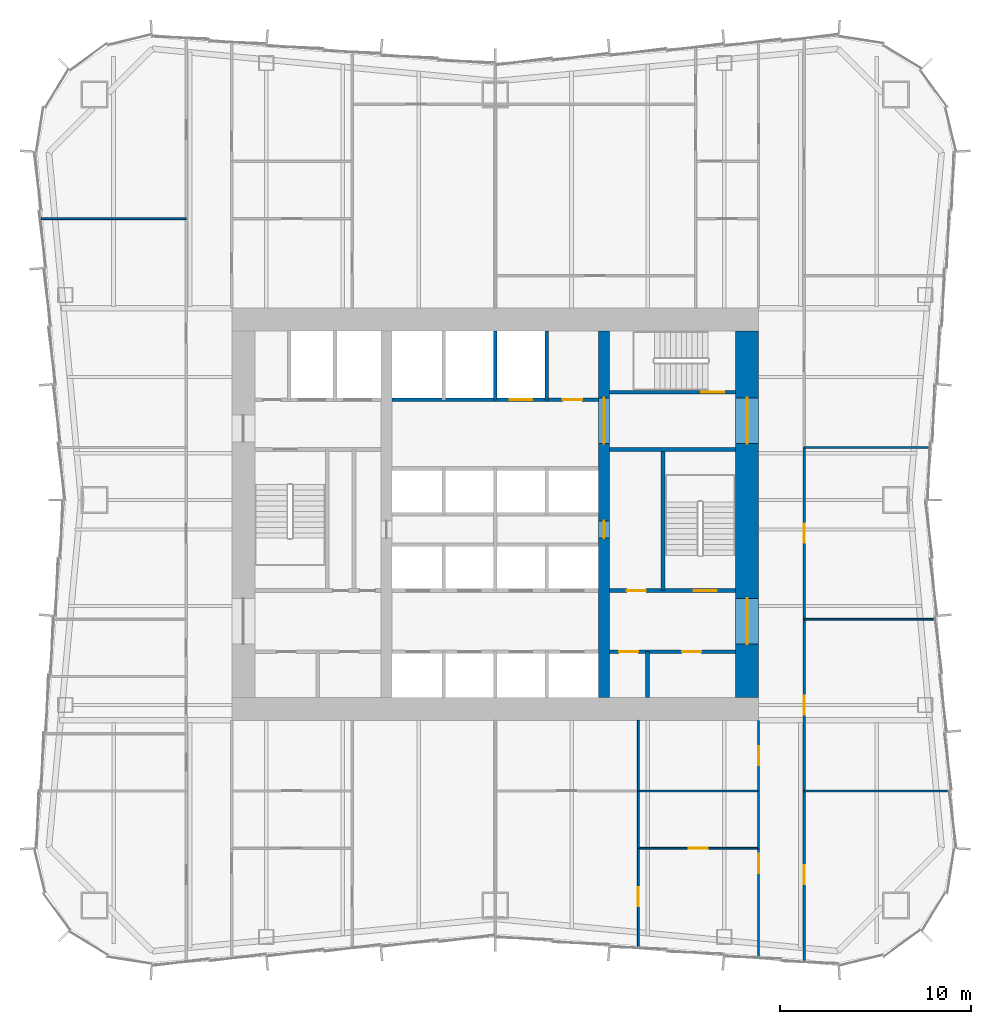
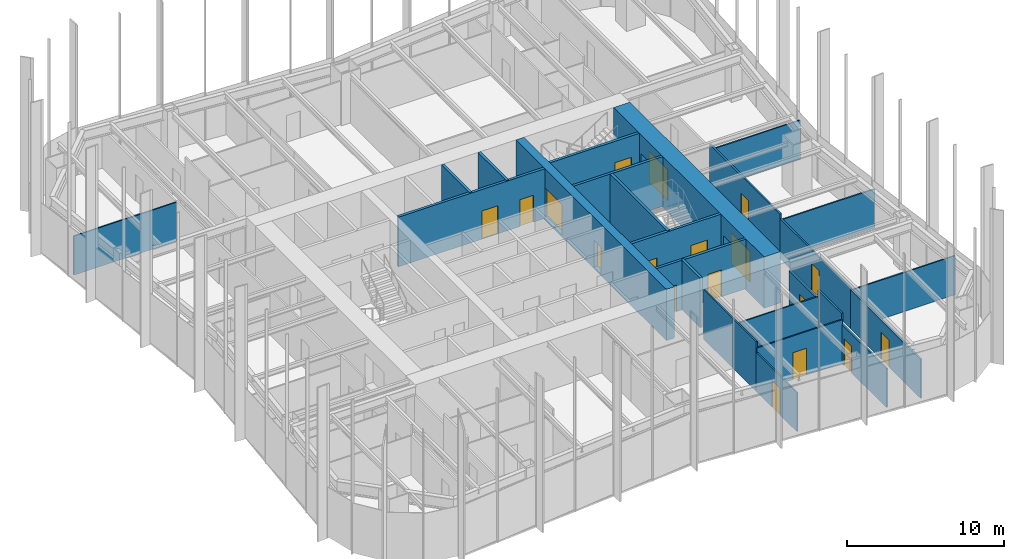
# One storey, part 10 of 13: 26 walls, 18 doors, 18 openings.
"""IFC4 building model written with IfcOpenShell, lengths in metres."""

from ifc_helpers import new_model, si_unit, direction, frame, frame_2d, origin, place, context, subcontext, project, spatial, rectangle, extrude, material, layer, layer_set, type_object, element, fill, save


model = new_model("IFC4")

# Units and contexts
model_context = context("Model", 3, precision=1e-05, world=origin(), true_north=direction((0.0, 1.0)))
body_context = subcontext(model_context, "Body", "Model", "MODEL_VIEW")
ifc_project = project(units=[si_unit("LENGTHUNIT", "METRE"), si_unit("AREAUNIT", "SQUARE_METRE"), si_unit("VOLUMEUNIT", "CUBIC_METRE"), si_unit("PLANEANGLEUNIT", "RADIAN"), si_unit("MASSUNIT", "GRAM", prefix="KILO")], contexts=[model_context])

# Site, building, storey
site_placement = place(None, origin())
site = spatial("IfcSite", under=ifc_project, at=site_placement, CompositionType="ELEMENT")
building_placement = place(site_placement, origin())
building = spatial("IfcBuilding", under=site, at=building_placement, Name="Verdant Reach Tower", CompositionType="ELEMENT")
storey_placement = place(building_placement, frame((0.0, 0.0, 94.0)))
storey = spatial("IfcBuildingStorey", under=building, at=storey_placement, Name="L21", CompositionType="ELEMENT", Elevation=94.0)

# Wall, openings, doors
ifc_material_1 = material(Name="Gypsum board on steel studs", Category="steel")
ifc_layer_1 = layer(ifc_material_1, 0.199951171875)
ifc_layer_set_1 = layer_set([ifc_layer_1], Name="CO-WALL-ROOM")
wall_type_1 = type_object("IfcWallType", Name="CO-WALL-ROOM", PredefinedType="PARTITIONING", material=ifc_layer_set_1)
wall_1_placement = place(storey_placement, frame((6.0, 20.800048828125, 0.0), z_axis=(0.0, 0.0, 1.0), x_axis=(1.0, 0.0, 0.0)))
wall_1 = element("IfcWall", 1, at=wall_1_placement, inside=storey, type_object=wall_type_1, Name="Core partition, L21", PredefinedType="PARTITIONING", context=body_context, shape_type="SweptSolid", body=[
    extrude(rectangle(XDim=6.60009765625, YDim=0.199951171875, at=frame_2d((3.300048828125, 0.0))), origin(), (0.0, 0.0, 1.0), 3.8701171875),
])
opening_1_placement = place(wall_1_placement, frame((0.489990234375, 0.0, 0.0)))
opening_1 = element("IfcOpeningElement", 2, at=opening_1_placement, cuts=wall_1, Name="Opening CD", PredefinedType="OPENING", context=body_context, shape_type="SweptSolid", body=[
    extrude(rectangle(XDim=1.0, YDim=2.10009765625, at=frame_2d((0.5, 1.050048828125))), frame((0.0, 0.10986328125, 0.0), z_axis=(0.0, -1.0, 0.0), x_axis=(1.0, 0.0, 0.0)), (0.0, 0.0, 1.0), 0.219970703125),
])
opening_2_placement = place(wall_1_placement, frame((3.7900390625, 0.0, 0.0)))
opening_2 = element("IfcOpeningElement", 3, at=opening_2_placement, cuts=wall_1, Name="Opening CD", PredefinedType="OPENING", context=body_context, shape_type="SweptSolid", body=[
    extrude(rectangle(XDim=1.0, YDim=2.10009765625, at=frame_2d((0.5, 1.050048828125))), frame((0.0, 0.10986328125, 0.0), z_axis=(0.0, -1.0, 0.0), x_axis=(1.0, 0.0, 0.0)), (0.0, 0.0, 1.0), 0.219970703125),
])
ifc_material_2 = material(Name="Timber", Category="wood")
door_type_1 = type_object("IfcDoorType", Name="CO-DOOR-ROOM", OperationType="NOTDEFINED", PredefinedType="DOOR", material=ifc_material_2)
door_1_placement = place(opening_1_placement, origin())
door_1 = element("IfcDoor", 4, at=door_1_placement, inside=storey, type_object=door_type_1, Name="Core room door, L21", OperationType="SINGLE_SWING_RIGHT", OverallHeight=2.10009765625, OverallWidth=1.0, PredefinedType="DOOR", context=body_context, shape_type="SweptSolid", body=[
    extrude(rectangle(XDim=1.0, YDim=2.10009765625, at=frame_2d((0.5, 1.050048828125))), frame((0.0, 0.02490234375, 0.0), z_axis=(0.0, -1.0, 0.0), x_axis=(1.0, 0.0, 0.0)), (0.0, 0.0, 1.0), 0.050048828125),
])
fill(opening_1, door_1)
door_2_placement = place(opening_2_placement, origin())
door_2 = element("IfcDoor", 5, at=door_2_placement, inside=storey, type_object=door_type_1, Name="Core room door, L21", OperationType="SINGLE_SWING_RIGHT", OverallHeight=2.10009765625, OverallWidth=1.0, PredefinedType="DOOR", context=body_context, shape_type="SweptSolid", body=[
    extrude(rectangle(XDim=1.0, YDim=2.10009765625, at=frame_2d((0.5, 1.050048828125))), frame((0.0, 0.02490234375, 0.0), z_axis=(0.0, -1.0, 0.0), x_axis=(1.0, 0.0, 0.0)), (0.0, 0.0, 1.0), 0.050048828125),
])
fill(opening_2, door_2)

# Wall
wall_2_placement = place(storey_placement, frame((7.97998046875, 18.39990234375, 0.0), z_axis=(0.0, 0.0, 1.0), x_axis=(0.0, 1.0, 0.0)))
element("IfcWall", 6, at=wall_2_placement, inside=storey, type_object=wall_type_1, Name="Core partition, L21", PredefinedType="PARTITIONING", context=body_context, shape_type="SweptSolid", body=[
    extrude(rectangle(XDim=2.400146484375, YDim=0.199951171875, at=frame_2d((1.2001953125, 0.0))), origin(), (0.0, 0.0, 1.0), 3.8701171875),
])

# Wall, openings, doors
ifc_material_3 = material(Name="Concrete C40/50", Category="concrete")
ifc_layer_2 = layer(ifc_material_3, 0.199951171875)
ifc_layer_set_2 = layer_set([ifc_layer_2], Name="CO-WALL-SHAFT")
wall_type_2 = type_object("IfcWallType", Name="CO-WALL-SHAFT", PredefinedType="PARTITIONING", material=ifc_layer_set_2)
wall_3_placement = place(storey_placement, frame((-5.39990234375, 34.0, 0.0), z_axis=(0.0, 0.0, 1.0), x_axis=(1.0, 0.0, 0.0)))
wall_3 = element("IfcWall", 7, at=wall_3_placement, inside=storey, type_object=wall_type_2, Name="Lift shaft wall, L21", PredefinedType="PARTITIONING", context=body_context, shape_type="SweptSolid", body=[
    extrude(rectangle(XDim=10.7998046875, YDim=0.199951171875, at=frame_2d((5.39990234375, 0.0))), origin(), (0.0, 0.0, 1.0), 3.8701171875),
])
opening_3_placement = place(wall_3_placement, frame((6.14990234375, 0.0, 0.0)))
opening_3 = element("IfcOpeningElement", 8, at=opening_3_placement, cuts=wall_3, Name="Opening LD-SL1", PredefinedType="OPENING", context=body_context, shape_type="SweptSolid", body=[
    extrude(rectangle(XDim=1.199951171875, YDim=2.199951171875, at=frame_2d((0.60009765625, 1.10009765625))), frame((0.0, 0.10986328125, 0.0), z_axis=(0.0, -1.0, 0.0), x_axis=(1.0, 0.0, 0.0)), (0.0, 0.0, 1.0), 0.219970703125),
])
opening_4_placement = place(wall_3_placement, frame((8.949951171875, 0.0, 0.0)))
opening_4 = element("IfcOpeningElement", 9, at=opening_4_placement, cuts=wall_3, Name="Opening CD", PredefinedType="OPENING", context=body_context, shape_type="SweptSolid", body=[
    extrude(rectangle(XDim=1.0, YDim=2.10009765625, at=frame_2d((0.5, 1.050048828125))), frame((0.0, 0.10986328125, 0.0), z_axis=(0.0, -1.0, 0.0), x_axis=(1.0, 0.0, 0.0)), (0.0, 0.0, 1.0), 0.219970703125),
])
ifc_material_4 = material(Name="Stainless steel", Category="steel")
door_type_2 = type_object("IfcDoorType", Name="CO-DOOR-LANDING", OperationType="SLIDING_TO_LEFT", PredefinedType="DOOR", material=ifc_material_4)
door_3_placement = place(opening_3_placement, origin())
door_3 = element("IfcDoor", 10, at=door_3_placement, inside=storey, type_object=door_type_2, Name="Landing door SL1, L21", OperationType="SLIDING_TO_LEFT", OverallHeight=2.199951171875, OverallWidth=1.199951171875, PredefinedType="DOOR", context=body_context, shape_type="SweptSolid", body=[
    extrude(rectangle(XDim=1.199951171875, YDim=2.199951171875, at=frame_2d((0.60009765625, 1.10009765625))), frame((0.0, 0.02490234375, 0.0), z_axis=(0.0, -1.0, 0.0), x_axis=(1.0, 0.0, 0.0)), (0.0, 0.0, 1.0), 0.050048828125),
])
fill(opening_3, door_3)
door_4_placement = place(opening_4_placement, origin())
door_4 = element("IfcDoor", 11, at=door_4_placement, inside=storey, type_object=door_type_1, Name="Core room door, L21", OperationType="SINGLE_SWING_LEFT", OverallHeight=2.10009765625, OverallWidth=1.0, PredefinedType="DOOR", context=body_context, shape_type="SweptSolid", body=[
    extrude(rectangle(XDim=1.0, YDim=2.10009765625, at=frame_2d((0.5, 1.050048828125))), frame((0.0, 0.02490234375, 0.0), z_axis=(0.0, -1.0, 0.0), x_axis=(1.0, 0.0, 0.0)), (0.0, 0.0, 1.0), 0.050048828125),
])
fill(opening_4, door_4)

# Walls
for number, where, z_axis, x_axis, name in (
    (12, (0.0, 34.0, 0.0), (0.0, 0.0, 1.0), (0.0, 1.0, 0.0), "Lift shaft wall, L21"),
    (13, (2.699951171875, 34.0, 0.0), (0.0, 0.0, 1.0), (0.0, 1.0, 0.0), "Lift shaft wall, L21"),
):
    element("IfcWall", number, at=place(storey_placement, frame(where, z_axis=z_axis, x_axis=x_axis)), inside=storey, type_object=wall_type_2, Name=name, PredefinedType="PARTITIONING", context=body_context, shape_type="SweptSolid", body=[
        extrude(rectangle(XDim=3.60009765625, YDim=0.199951171875, at=frame_2d((1.800048828125, 0.0))), origin(), (0.0, 0.0, 1.0), 3.8701171875),
    ])

# Wall, openings, doors
ifc_layer_3 = layer(ifc_material_3, 0.199951171875)
ifc_layer_set_3 = layer_set([ifc_layer_3], Name="CO-WALL-STAIR")
wall_type_3 = type_object("IfcWallType", Name="CO-WALL-STAIR", PredefinedType="PARTITIONING", material=ifc_layer_set_3)
wall_4_placement = place(storey_placement, frame((6.0, 24.0, 0.0), z_axis=(0.0, 0.0, 1.0), x_axis=(1.0, 0.0, 0.0)))
wall_4 = element("IfcWall", 14, at=wall_4_placement, inside=storey, type_object=wall_type_3, Name="Stair enclosure wall, L21", PredefinedType="PARTITIONING", context=body_context, shape_type="SweptSolid", body=[
    extrude(rectangle(XDim=6.60009765625, YDim=0.199951171875, at=frame_2d((3.300048828125, 0.0))), origin(), (0.0, 0.0, 1.0), 3.8701171875),
])
opening_5_placement = place(wall_4_placement, frame((0.89990234375, 0.0, 0.0)))
opening_5 = element("IfcOpeningElement", 15, at=opening_5_placement, cuts=wall_4, Name="Opening CD", PredefinedType="OPENING", context=body_context, shape_type="SweptSolid", body=[
    extrude(rectangle(XDim=1.0, YDim=2.10009765625, at=frame_2d((0.5, 1.050048828125))), frame((0.0, 0.10986328125, 0.0), z_axis=(0.0, -1.0, 0.0), x_axis=(1.0, 0.0, 0.0)), (0.0, 0.0, 1.0), 0.219970703125),
])
opening_6_placement = place(wall_4_placement, frame((4.39990234375, 0.0, 0.0)))
opening_6 = element("IfcOpeningElement", 16, at=opening_6_placement, cuts=wall_4, Name="Opening SD", PredefinedType="OPENING", context=body_context, shape_type="SweptSolid", body=[
    extrude(rectangle(XDim=1.199951171875, YDim=2.199951171875, at=frame_2d((0.60009765625, 1.10009765625))), frame((0.0, 0.10986328125, 0.0), z_axis=(0.0, -1.0, 0.0), x_axis=(1.0, 0.0, 0.0)), (0.0, 0.0, 1.0), 0.219970703125),
])
door_5_placement = place(opening_5_placement, origin())
door_5 = element("IfcDoor", 17, at=door_5_placement, inside=storey, type_object=door_type_1, Name="Core room door, L21", OperationType="SINGLE_SWING_RIGHT", OverallHeight=2.10009765625, OverallWidth=1.0, PredefinedType="DOOR", context=body_context, shape_type="SweptSolid", body=[
    extrude(rectangle(XDim=1.0, YDim=2.10009765625, at=frame_2d((0.5, 1.050048828125))), frame((0.0, 0.02490234375, 0.0), z_axis=(0.0, -1.0, 0.0), x_axis=(1.0, 0.0, 0.0)), (0.0, 0.0, 1.0), 0.050048828125),
])
fill(opening_5, door_5)
ifc_material_5 = material(Name="Steel", Category="steel")
door_type_3 = type_object("IfcDoorType", Name="CO-DOOR-STAIR", OperationType="NOTDEFINED", PredefinedType="DOOR", material=ifc_material_5)
door_6_placement = place(opening_6_placement, origin())
door_6 = element("IfcDoor", 18, at=door_6_placement, inside=storey, type_object=door_type_3, Name="Stair door, L21", OperationType="SINGLE_SWING_LEFT", OverallHeight=2.199951171875, OverallWidth=1.199951171875, PredefinedType="DOOR", context=body_context, shape_type="SweptSolid", body=[
    extrude(rectangle(XDim=1.199951171875, YDim=2.199951171875, at=frame_2d((0.60009765625, 1.10009765625))), frame((0.0, 0.02490234375, 0.0), z_axis=(0.0, -1.0, 0.0), x_axis=(1.0, 0.0, 0.0)), (0.0, 0.0, 1.0), 0.050048828125),
])
fill(opening_6, door_6)

# Wall
wall_5_placement = place(storey_placement, frame((6.0, 31.39990234375, 0.0), z_axis=(0.0, 0.0, 1.0), x_axis=(1.0, 0.0, 0.0)))
element("IfcWall", 19, at=wall_5_placement, inside=storey, type_object=wall_type_3, Name="Stair enclosure wall, L21", PredefinedType="PARTITIONING", context=body_context, shape_type="SweptSolid", body=[
    extrude(rectangle(XDim=6.60009765625, YDim=0.199951171875, at=frame_2d((3.300048828125, 0.0))), origin(), (0.0, 0.0, 1.0), 3.8701171875),
])

# Wall, opening, door
wall_6_placement = place(storey_placement, frame((6.0, 34.39990234375, 0.0), z_axis=(0.0, 0.0, 1.0), x_axis=(1.0, 0.0, 0.0)))
wall_6 = element("IfcWall", 20, at=wall_6_placement, inside=storey, type_object=wall_type_3, Name="Stair enclosure wall, L21", PredefinedType="PARTITIONING", context=body_context, shape_type="SweptSolid", body=[
    extrude(rectangle(XDim=6.60009765625, YDim=0.199951171875, at=frame_2d((3.300048828125, 0.0))), origin(), (0.0, 0.0, 1.0), 3.8701171875),
])
opening_7_placement = place(wall_6_placement, frame((4.800048828125, 0.0, 0.0)))
opening_7 = element("IfcOpeningElement", 21, at=opening_7_placement, cuts=wall_6, Name="Opening SD", PredefinedType="OPENING", context=body_context, shape_type="SweptSolid", body=[
    extrude(rectangle(XDim=1.199951171875, YDim=2.199951171875, at=frame_2d((0.60009765625, 1.10009765625))), frame((0.0, 0.10986328125, 0.0), z_axis=(0.0, -1.0, 0.0), x_axis=(1.0, 0.0, 0.0)), (0.0, 0.0, 1.0), 0.219970703125),
])
door_7_placement = place(opening_7_placement, origin())
door_7 = element("IfcDoor", 22, at=door_7_placement, inside=storey, type_object=door_type_3, Name="Stair door, L21", OperationType="SINGLE_SWING_RIGHT", OverallHeight=2.199951171875, OverallWidth=1.199951171875, PredefinedType="DOOR", context=body_context, shape_type="SweptSolid", body=[
    extrude(rectangle(XDim=1.199951171875, YDim=2.199951171875, at=frame_2d((0.60009765625, 1.10009765625))), frame((0.0, 0.02490234375, 0.0), z_axis=(0.0, -1.0, 0.0), x_axis=(1.0, 0.0, 0.0)), (0.0, 0.0, 1.0), 0.050048828125),
])
fill(opening_7, door_7)

# Walls
wall_7_placement = place(storey_placement, frame((8.800048828125, 24.0, 0.0), z_axis=(0.0, 0.0, 1.0), x_axis=(0.0, 1.0, 0.0)))
element("IfcWall", 23, at=wall_7_placement, inside=storey, type_object=wall_type_3, Name="Stair enclosure wall, L21", PredefinedType="PARTITIONING", context=body_context, shape_type="SweptSolid", body=[
    extrude(rectangle(XDim=7.39990234375, YDim=0.199951171875, at=frame_2d((3.699951171875, 0.0))), origin(), (0.0, 0.0, 1.0), 3.8701171875),
])
ifc_layer_4 = layer(ifc_material_1, 0.10009765625)
ifc_layer_set_4 = layer_set([ifc_layer_4], Name="FL-W1 Partition 100")
wall_type_4 = type_object("IfcWallType", Name="FL-W1 Partition 100", PredefinedType="PARTITIONING", material=ifc_layer_set_4)
wall_8_placement = place(storey_placement, frame((-16.199951171875, 43.5, 0.0), z_axis=(0.0, 0.0, 1.0), x_axis=(-1.0, 0.0, 0.0)))
element("IfcWall", 24, at=wall_8_placement, inside=storey, type_object=wall_type_4, Name="Partition 21.30", PredefinedType="PARTITIONING", context=body_context, shape_type="SweptSolid", body=[
    extrude(rectangle(XDim=7.59228515625, YDim=0.10009765625, at=frame_2d((3.796142578125, 0.0))), origin(), (0.0, 0.0, 1.0), 3.0400390625),
])
wall_9_placement = place(storey_placement, frame((23.83349609375, 13.5, 0.0), z_axis=(0.0, 0.0, 1.0), x_axis=(-1.0, 0.0, 0.0)))
element("IfcWall", 25, at=wall_9_placement, inside=storey, type_object=wall_type_4, Name="Partition 21.31", PredefinedType="PARTITIONING", context=body_context, shape_type="SweptSolid", body=[
    extrude(rectangle(XDim=7.633544921875, YDim=0.10009765625, at=frame_2d((3.81689453125, 0.0))), origin(), (0.0, 0.0, 1.0), 3.0400390625),
])
wall_10_placement = place(storey_placement, frame((23.09375, 22.5, 0.0), z_axis=(0.0, 0.0, 1.0), x_axis=(-1.0, 0.0, 0.0)))
element("IfcWall", 26, at=wall_10_placement, inside=storey, type_object=wall_type_4, Name="Partition 21.32", PredefinedType="PARTITIONING", context=body_context, shape_type="SweptSolid", body=[
    extrude(rectangle(XDim=6.893798828125, YDim=0.10009765625, at=frame_2d((3.44677734375, 0.0))), origin(), (0.0, 0.0, 1.0), 3.0400390625),
])
wall_11_placement = place(storey_placement, frame((22.805908203125, 31.5, 0.0), z_axis=(0.0, 0.0, 1.0), x_axis=(-1.0, 0.0, 0.0)))
element("IfcWall", 27, at=wall_11_placement, inside=storey, type_object=wall_type_4, Name="Partition 21.33", PredefinedType="PARTITIONING", context=body_context, shape_type="SweptSolid", body=[
    extrude(rectangle(XDim=6.60595703125, YDim=0.10009765625, at=frame_2d((3.302978515625, 0.0))), origin(), (0.0, 0.0, 1.0), 3.0400390625),
])

# Wall, opening, door
wall_12_placement = place(storey_placement, frame((7.5, 10.5, 0.0), z_axis=(0.0, 0.0, 1.0), x_axis=(1.0, 0.0, 0.0)))
wall_12 = element("IfcWall", 28, at=wall_12_placement, inside=storey, type_object=wall_type_4, Name="Partition 21.42", PredefinedType="PARTITIONING", context=body_context, shape_type="SweptSolid", body=[
    extrude(rectangle(XDim=6.300048828125, YDim=0.10009765625, at=frame_2d((3.14990234375, 0.0))), origin(), (0.0, 0.0, 1.0), 3.389892578125),
])
opening_8_placement = place(wall_12_placement, frame((2.64990234375, 0.0, 0.0)))
opening_8 = element("IfcOpeningElement", 29, at=opening_8_placement, cuts=wall_12, Name="Opening D3", PredefinedType="OPENING", context=body_context, shape_type="SweptSolid", body=[
    extrude(rectangle(XDim=1.0, YDim=2.10009765625, at=frame_2d((0.5, 1.050048828125))), frame((0.0, 0.06005859375, 0.0), z_axis=(0.0, -1.0, 0.0), x_axis=(1.0, 0.0, 0.0)), (0.0, 0.0, 1.0), 0.1201171875),
])
ifc_material_6 = material(Name="Painted timber door leaf", Category="wood")
door_type_4 = type_object("IfcDoorType", Name="FL-D3 Door 1000x2100", OperationType="NOTDEFINED", PredefinedType="DOOR", material=ifc_material_6)
door_8_placement = place(opening_8_placement, origin())
door_8 = element("IfcDoor", 30, at=door_8_placement, inside=storey, type_object=door_type_4, Name="Door 21-022", OperationType="SINGLE_SWING_RIGHT", OverallHeight=2.10009765625, OverallWidth=1.0, PredefinedType="DOOR", context=body_context, shape_type="SweptSolid", body=[
    extrude(rectangle(XDim=1.0, YDim=2.10009765625, at=frame_2d((0.5, 1.050048828125))), frame((0.0, 0.02490234375, 0.0), z_axis=(0.0, -1.0, 0.0), x_axis=(1.0, 0.0, 0.0)), (0.0, 0.0, 1.0), 0.050048828125),
])
fill(opening_8, door_8)

wall_13_placement = place(storey_placement, frame((7.5, 5.294921875, 0.0), z_axis=(0.0, 0.0, 1.0), x_axis=(0.0, 1.0, 0.0)))
wall_13 = element("IfcWall", 31, at=wall_13_placement, inside=storey, type_object=wall_type_4, Name="Partition 21.43", PredefinedType="PARTITIONING", context=body_context, shape_type="SweptSolid", body=[
    extrude(rectangle(XDim=5.208984375, YDim=0.10009765625, at=frame_2d((2.6044921875, 0.0))), origin(), (0.0, 0.0, 1.0), 3.0400390625),
])
opening_9_placement = place(wall_13_placement, frame((2.169677734375, 0.0, 0.0)))
opening_9 = element("IfcOpeningElement", 32, at=opening_9_placement, cuts=wall_13, Name="Opening D3", PredefinedType="OPENING", context=body_context, shape_type="SweptSolid", body=[
    extrude(rectangle(XDim=1.0, YDim=2.10009765625, at=frame_2d((0.5, 1.050048828125))), frame((0.0, 0.06005859375, 0.0), z_axis=(0.0, -1.0, 0.0), x_axis=(1.0, 0.0, 0.0)), (0.0, 0.0, 1.0), 0.1201171875),
])
door_9_placement = place(opening_9_placement, origin())
door_9 = element("IfcDoor", 33, at=door_9_placement, inside=storey, type_object=door_type_4, Name="Door 21-023", OperationType="SINGLE_SWING_RIGHT", OverallHeight=2.10009765625, OverallWidth=1.0, PredefinedType="DOOR", context=body_context, shape_type="SweptSolid", body=[
    extrude(rectangle(XDim=1.0, YDim=2.10009765625, at=frame_2d((0.5, 1.050048828125))), frame((0.0, 0.02490234375, 0.0), z_axis=(0.0, -1.0, 0.0), x_axis=(1.0, 0.0, 0.0)), (0.0, 0.0, 1.0), 0.050048828125),
])
fill(opening_9, door_9)

# Walls
wall_14_placement = place(storey_placement, frame((13.800048828125, 13.5, 0.0), z_axis=(0.0, 0.0, 1.0), x_axis=(-1.0, 0.0, 0.0)))
element("IfcWall", 34, at=wall_14_placement, inside=storey, type_object=wall_type_4, Name="Partition 21.44", PredefinedType="PARTITIONING", context=body_context, shape_type="SweptSolid", body=[
    extrude(rectangle(XDim=6.300048828125, YDim=0.10009765625, at=frame_2d((3.14990234375, 0.0))), origin(), (0.0, 0.0, 1.0), 3.389892578125),
])
wall_15_placement = place(storey_placement, frame((7.5, 13.5, 0.0), z_axis=(0.0, 0.0, 1.0), x_axis=(0.0, -1.0, 0.0)))
element("IfcWall", 35, at=wall_15_placement, inside=storey, type_object=wall_type_4, Name="Partition 21.45", PredefinedType="PARTITIONING", context=body_context, shape_type="SweptSolid", body=[
    extrude(rectangle(XDim=3.00390625, YDim=0.10009765625, at=frame_2d((1.501953125, 0.0))), origin(), (0.0, 0.0, 1.0), 3.8701171875),
])
wall_16_placement = place(storey_placement, frame((7.5, 17.199951171875, 0.0), z_axis=(0.0, 0.0, 1.0), x_axis=(0.0, -1.0, 0.0)))
element("IfcWall", 36, at=wall_16_placement, inside=storey, type_object=wall_type_4, Name="Partition 21.46", PredefinedType="PARTITIONING", context=body_context, shape_type="SweptSolid", body=[
    extrude(rectangle(XDim=3.699951171875, YDim=0.10009765625, at=frame_2d((1.85009765625, 0.0))), origin(), (0.0, 0.0, 1.0), 3.8701171875),
])

# Wall, opening, door
ifc_material_7 = material(Name="Gypsum board on steel studs, fire rated", Category="steel")
ifc_layer_5 = layer(ifc_material_7, 0.125)
ifc_layer_set_5 = layer_set([ifc_layer_5], Name="FL-W2 Corridor wall 125")
wall_type_5 = type_object("IfcWallType", Name="FL-W2 Corridor wall 125", PredefinedType="PARTITIONING", material=ifc_layer_set_5)
wall_17_placement = place(storey_placement, frame((16.199951171875, 13.5, 0.0), z_axis=(0.0, 0.0, 1.0), x_axis=(0.0, -1.0, 0.0)))
wall_17 = element("IfcWall", 37, at=wall_17_placement, inside=storey, type_object=wall_type_5, Name="Partition 21.14", PredefinedType="PARTITIONING", context=body_context, shape_type="SweptSolid", body=[
    extrude(rectangle(XDim=8.929931640625, YDim=0.125, at=frame_2d((4.46484375, 0.0))), origin(), (0.0, 0.0, 1.0), 3.0400390625),
])
opening_10_placement = place(wall_17_placement, frame((3.89990234375, 0.0, 0.0)))
opening_10 = element("IfcOpeningElement", 38, at=opening_10_placement, cuts=wall_17, Name="Opening D2", PredefinedType="OPENING", context=body_context, shape_type="SweptSolid", body=[
    extrude(rectangle(XDim=1.0, YDim=2.10009765625, at=frame_2d((0.5, 1.050048828125))), frame((0.0, 0.072509765625, 0.0), z_axis=(0.0, -1.0, 0.0), x_axis=(1.0, 0.0, 0.0)), (0.0, 0.0, 1.0), 0.14501953125),
])
ifc_material_8 = material(Name="Timber door leaf, fire rated", Category="wood")
door_type_5 = type_object("IfcDoorType", Name="FL-D2 Entrance door 1000x2100 FD30", OperationType="NOTDEFINED", PredefinedType="DOOR", material=ifc_material_8)
door_10_placement = place(opening_10_placement, origin())
door_10 = element("IfcDoor", 39, at=door_10_placement, inside=storey, type_object=door_type_5, Name="Door 21-011", OperationType="SINGLE_SWING_LEFT", OverallHeight=2.10009765625, OverallWidth=1.0, PredefinedType="DOOR", context=body_context, shape_type="SweptSolid", body=[
    extrude(rectangle(XDim=1.0, YDim=2.10009765625, at=frame_2d((0.5, 1.050048828125))), frame((0.0, 0.02490234375, 0.0), z_axis=(0.0, -1.0, 0.0), x_axis=(1.0, 0.0, 0.0)), (0.0, 0.0, 1.0), 0.050048828125),
])
fill(opening_10, door_10)

wall_18_placement = place(storey_placement, frame((16.199951171875, 22.5, 0.0), z_axis=(0.0, 0.0, 1.0), x_axis=(0.0, -1.0, 0.0)))
wall_18 = element("IfcWall", 40, at=wall_18_placement, inside=storey, type_object=wall_type_5, Name="Partition 21.15", PredefinedType="PARTITIONING", context=body_context, shape_type="SweptSolid", body=[
    extrude(rectangle(XDim=9.0, YDim=0.125, at=frame_2d((4.5, 0.0))), origin(), (0.0, 0.0, 1.0), 3.139892578125),
])
opening_11_placement = place(wall_18_placement, frame((4.0, 0.0, 0.0)))
opening_11 = element("IfcOpeningElement", 41, at=opening_11_placement, cuts=wall_18, Name="Opening D2", PredefinedType="OPENING", context=body_context, shape_type="SweptSolid", body=[
    extrude(rectangle(XDim=1.0, YDim=2.10009765625, at=frame_2d((0.5, 1.050048828125))), frame((0.0, 0.072509765625, 0.0), z_axis=(0.0, -1.0, 0.0), x_axis=(1.0, 0.0, 0.0)), (0.0, 0.0, 1.0), 0.14501953125),
])
door_11_placement = place(opening_11_placement, origin())
door_11 = element("IfcDoor", 42, at=door_11_placement, inside=storey, type_object=door_type_5, Name="Door 21-012", OperationType="SINGLE_SWING_RIGHT", OverallHeight=2.10009765625, OverallWidth=1.0, PredefinedType="DOOR", context=body_context, shape_type="SweptSolid", body=[
    extrude(rectangle(XDim=1.0, YDim=2.10009765625, at=frame_2d((0.5, 1.050048828125))), frame((0.0, 0.02490234375, 0.0), z_axis=(0.0, -1.0, 0.0), x_axis=(1.0, 0.0, 0.0)), (0.0, 0.0, 1.0), 0.050048828125),
])
fill(opening_11, door_11)

wall_19_placement = place(storey_placement, frame((16.199951171875, 31.5, 0.0), z_axis=(0.0, 0.0, 1.0), x_axis=(0.0, -1.0, 0.0)))
wall_19 = element("IfcWall", 43, at=wall_19_placement, inside=storey, type_object=wall_type_5, Name="Partition 21.16", PredefinedType="PARTITIONING", context=body_context, shape_type="SweptSolid", body=[
    extrude(rectangle(XDim=9.0, YDim=0.125, at=frame_2d((4.5, 0.0))), origin(), (0.0, 0.0, 1.0), 3.47998046875),
])
opening_12_placement = place(wall_19_placement, frame((4.0, 0.0, 0.0)))
opening_12 = element("IfcOpeningElement", 44, at=opening_12_placement, cuts=wall_19, Name="Opening D2", PredefinedType="OPENING", context=body_context, shape_type="SweptSolid", body=[
    extrude(rectangle(XDim=1.0, YDim=2.10009765625, at=frame_2d((0.5, 1.050048828125))), frame((0.0, 0.072509765625, 0.0), z_axis=(0.0, -1.0, 0.0), x_axis=(1.0, 0.0, 0.0)), (0.0, 0.0, 1.0), 0.14501953125),
])
door_12_placement = place(opening_12_placement, origin())
door_12 = element("IfcDoor", 45, at=door_12_placement, inside=storey, type_object=door_type_5, Name="Door 21-013", OperationType="SINGLE_SWING_LEFT", OverallHeight=2.10009765625, OverallWidth=1.0, PredefinedType="DOOR", context=body_context, shape_type="SweptSolid", body=[
    extrude(rectangle(XDim=1.0, YDim=2.10009765625, at=frame_2d((0.5, 1.050048828125))), frame((0.0, 0.02490234375, 0.0), z_axis=(0.0, -1.0, 0.0), x_axis=(1.0, 0.0, 0.0)), (0.0, 0.0, 1.0), 0.050048828125),
])
fill(opening_12, door_12)

wall_20_placement = place(storey_placement, frame((13.800048828125, 4.77001953125, 0.0), z_axis=(0.0, 0.0, 1.0), x_axis=(0.0, 1.0, 0.0)))
wall_20 = element("IfcWall", 46, at=wall_20_placement, inside=storey, type_object=wall_type_5, Name="Partition 21.19", PredefinedType="PARTITIONING", context=body_context, shape_type="SweptSolid", body=[
    extrude(rectangle(XDim=5.72998046875, YDim=0.125, at=frame_2d((2.864990234375, 0.0))), origin(), (0.0, 0.0, 1.0), 3.0400390625),
])
opening_13_placement = place(wall_20_placement, frame((4.43017578125, 0.0, 0.0)))
opening_13 = element("IfcOpeningElement", 47, at=opening_13_placement, cuts=wall_20, Name="Opening D2", PredefinedType="OPENING", context=body_context, shape_type="SweptSolid", body=[
    extrude(rectangle(XDim=1.0, YDim=2.10009765625, at=frame_2d((0.5, 1.050048828125))), frame((0.0, 0.072509765625, 0.0), z_axis=(0.0, -1.0, 0.0), x_axis=(1.0, 0.0, 0.0)), (0.0, 0.0, 1.0), 0.14501953125),
])
door_13_placement = place(opening_13_placement, origin())
door_13 = element("IfcDoor", 48, at=door_13_placement, inside=storey, type_object=door_type_5, Name="Door 21-016", OperationType="SINGLE_SWING_RIGHT", OverallHeight=2.10009765625, OverallWidth=1.0, PredefinedType="DOOR", context=body_context, shape_type="SweptSolid", body=[
    extrude(rectangle(XDim=1.0, YDim=2.10009765625, at=frame_2d((0.5, 1.050048828125))), frame((0.0, 0.02490234375, 0.0), z_axis=(0.0, -1.0, 0.0), x_axis=(1.0, 0.0, 0.0)), (0.0, 0.0, 1.0), 0.050048828125),
])
fill(opening_13, door_13)

# Wall
wall_21_placement = place(storey_placement, frame((13.800048828125, 13.5, 0.0), z_axis=(0.0, 0.0, 1.0), x_axis=(0.0, -1.0, 0.0)))
element("IfcWall", 49, at=wall_21_placement, inside=storey, type_object=wall_type_5, Name="Partition 21.20", PredefinedType="PARTITIONING", context=body_context, shape_type="SweptSolid", body=[
    extrude(rectangle(XDim=3.0, YDim=0.125, at=frame_2d((1.5, 0.0))), origin(), (0.0, 0.0, 1.0), 3.8701171875),
])

# Wall, opening, door
wall_22_placement = place(storey_placement, frame((13.800048828125, 13.5, 0.0), z_axis=(0.0, 0.0, 1.0), x_axis=(0.0, 1.0, 0.0)))
wall_22 = element("IfcWall", 50, at=wall_22_placement, inside=storey, type_object=wall_type_5, Name="Partition 21.21", PredefinedType="PARTITIONING", context=body_context, shape_type="SweptSolid", body=[
    extrude(rectangle(XDim=3.699951171875, YDim=0.125, at=frame_2d((1.85009765625, 0.0))), origin(), (0.0, 0.0, 1.0), 3.139892578125),
])
opening_14_placement = place(wall_22_placement, frame((1.35009765625, 0.0, 0.0)))
opening_14 = element("IfcOpeningElement", 51, at=opening_14_placement, cuts=wall_22, Name="Opening D2", PredefinedType="OPENING", context=body_context, shape_type="SweptSolid", body=[
    extrude(rectangle(XDim=1.0, YDim=2.10009765625, at=frame_2d((0.5, 1.050048828125))), frame((0.0, 0.072509765625, 0.0), z_axis=(0.0, -1.0, 0.0), x_axis=(1.0, 0.0, 0.0)), (0.0, 0.0, 1.0), 0.14501953125),
])
door_14_placement = place(opening_14_placement, origin())
door_14 = element("IfcDoor", 52, at=door_14_placement, inside=storey, type_object=door_type_5, Name="Door 21-017", OperationType="SINGLE_SWING_LEFT", OverallHeight=2.10009765625, OverallWidth=1.0, PredefinedType="DOOR", context=body_context, shape_type="SweptSolid", body=[
    extrude(rectangle(XDim=1.0, YDim=2.10009765625, at=frame_2d((0.5, 1.050048828125))), frame((0.0, 0.02490234375, 0.0), z_axis=(0.0, -1.0, 0.0), x_axis=(1.0, 0.0, 0.0)), (0.0, 0.0, 1.0), 0.050048828125),
])
fill(opening_14, door_14)

# Wall, openings, doors
ifc_material_9 = material(Name="Concrete C70/85", Category="concrete")
ifc_layer_6 = layer(ifc_material_9, 1.199951171875)
ifc_layer_set_6 = layer_set([ifc_layer_6], Name="ST-CORE-WALL-1200")
wall_type_6 = type_object("IfcWallType", Name="ST-CORE-WALL-1200", PredefinedType="SHEAR", material=ifc_layer_set_6)
wall_23_placement = place(storey_placement, frame((13.199951171875, 18.39990234375, -0.1298828125), z_axis=(0.0, 0.0, 1.0), x_axis=(0.0, 1.0, 0.0)))
wall_23 = element("IfcWall", 53, at=wall_23_placement, inside=storey, type_object=wall_type_6, Name="Core wall E, L21", PredefinedType="SHEAR", context=body_context, shape_type="SweptSolid", body=[
    extrude(rectangle(XDim=19.2001953125, YDim=1.199951171875, at=frame_2d((9.60009765625, 0.0))), origin(), (0.0, 0.0, 1.0), 4.0),
])
opening_15_placement = place(wall_23_placement, frame((2.800048828125, 0.0, 0.1298828125)))
opening_15 = element("IfcOpeningElement", 54, at=opening_15_placement, cuts=wall_23, Name="Opening LB", PredefinedType="OPENING", context=body_context, shape_type="SweptSolid", body=[
    extrude(rectangle(XDim=2.39990234375, YDim=2.39990234375, at=frame_2d((1.199951171875, 1.199951171875))), frame((0.0, 0.60986328125, 0.0), z_axis=(0.0, -1.0, 0.0), x_axis=(1.0, 0.0, 0.0)), (0.0, 0.0, 1.0), 1.219970703125),
])
opening_16_placement = place(wall_23_placement, frame((13.300048828125, 0.0, 0.1298828125)))
opening_16 = element("IfcOpeningElement", 55, at=opening_16_placement, cuts=wall_23, Name="Opening LB", PredefinedType="OPENING", context=body_context, shape_type="SweptSolid", body=[
    extrude(rectangle(XDim=2.39990234375, YDim=2.39990234375, at=frame_2d((1.199951171875, 1.199951171875))), frame((0.0, 0.60986328125, 0.0), z_axis=(0.0, -1.0, 0.0), x_axis=(1.0, 0.0, 0.0)), (0.0, 0.0, 1.0), 1.219970703125),
])
ifc_material_10 = material(Name="Glass and steel", Category="steel")
door_type_6 = type_object("IfcDoorType", Name="CO-DOOR-LOBBY", OperationType="DOUBLE_DOOR_SINGLE_SWING", PredefinedType="DOOR", material=ifc_material_10)
door_15_placement = place(opening_15_placement, origin())
door_15 = element("IfcDoor", 56, at=door_15_placement, inside=storey, type_object=door_type_6, Name="Core entrance door, L21", OperationType="DOUBLE_DOOR_SINGLE_SWING", OverallHeight=2.39990234375, OverallWidth=2.39990234375, PredefinedType="DOOR", context=body_context, shape_type="SweptSolid", body=[
    extrude(rectangle(XDim=2.39990234375, YDim=2.39990234375, at=frame_2d((1.199951171875, 1.199951171875))), frame((0.0, 0.02490234375, 0.0), z_axis=(0.0, -1.0, 0.0), x_axis=(1.0, 0.0, 0.0)), (0.0, 0.0, 1.0), 0.050048828125),
])
fill(opening_15, door_15)
door_16_placement = place(opening_16_placement, origin())
door_16 = element("IfcDoor", 57, at=door_16_placement, inside=storey, type_object=door_type_6, Name="Core entrance door, L21", OperationType="DOUBLE_DOOR_SINGLE_SWING", OverallHeight=2.39990234375, OverallWidth=2.39990234375, PredefinedType="DOOR", context=body_context, shape_type="SweptSolid", body=[
    extrude(rectangle(XDim=2.39990234375, YDim=2.39990234375, at=frame_2d((1.199951171875, 1.199951171875))), frame((0.0, 0.02490234375, 0.0), z_axis=(0.0, -1.0, 0.0), x_axis=(1.0, 0.0, 0.0)), (0.0, 0.0, 1.0), 0.050048828125),
])
fill(opening_16, door_16)

ifc_layer_7 = layer(ifc_material_9, 0.60009765625)
ifc_layer_set_7 = layer_set([ifc_layer_7], Name="ST-CORE-WALL-600")
wall_type_7 = type_object("IfcWallType", Name="ST-CORE-WALL-600", PredefinedType="SHEAR", material=ifc_layer_set_7)
wall_24_placement = place(storey_placement, frame((5.699951171875, 18.39990234375, -0.1298828125), z_axis=(0.0, 0.0, 1.0), x_axis=(0.0, 1.0, 0.0)))
wall_24 = element("IfcWall", 58, at=wall_24_placement, inside=storey, type_object=wall_type_7, Name="Core wall XE, L21", PredefinedType="SHEAR", context=body_context, shape_type="SweptSolid", body=[
    extrude(rectangle(XDim=19.2001953125, YDim=0.60009765625, at=frame_2d((9.60009765625, 0.0))), origin(), (0.0, 0.0, 1.0), 4.0),
])
opening_17_placement = place(wall_24_placement, frame((8.35009765625, 0.0, 0.1298828125)))
opening_17 = element("IfcOpeningElement", 59, at=opening_17_placement, cuts=wall_24, Name="Opening RD", PredefinedType="OPENING", context=body_context, shape_type="SweptSolid", body=[
    extrude(rectangle(XDim=0.89990234375, YDim=2.10009765625, at=frame_2d((0.449951171875, 1.050048828125))), frame((0.0, 0.31005859375, 0.0), z_axis=(0.0, -1.0, 0.0), x_axis=(1.0, 0.0, 0.0)), (0.0, 0.0, 1.0), 0.6201171875),
])
opening_18_placement = place(wall_24_placement, frame((13.300048828125, 0.0, 0.1298828125)))
opening_18 = element("IfcOpeningElement", 60, at=opening_18_placement, cuts=wall_24, Name="Opening LB", PredefinedType="OPENING", context=body_context, shape_type="SweptSolid", body=[
    extrude(rectangle(XDim=2.39990234375, YDim=2.39990234375, at=frame_2d((1.199951171875, 1.199951171875))), frame((0.0, 0.31005859375, 0.0), z_axis=(0.0, -1.0, 0.0), x_axis=(1.0, 0.0, 0.0)), (0.0, 0.0, 1.0), 0.6201171875),
])
door_17_placement = place(opening_18_placement, origin())
door_17 = element("IfcDoor", 61, at=door_17_placement, inside=storey, type_object=door_type_6, Name="Core entrance door, L21", OperationType="DOUBLE_DOOR_SINGLE_SWING", OverallHeight=2.39990234375, OverallWidth=2.39990234375, PredefinedType="DOOR", context=body_context, shape_type="SweptSolid", body=[
    extrude(rectangle(XDim=2.39990234375, YDim=2.39990234375, at=frame_2d((1.199951171875, 1.199951171875))), frame((0.0, 0.02490234375, 0.0), z_axis=(0.0, -1.0, 0.0), x_axis=(1.0, 0.0, 0.0)), (0.0, 0.0, 1.0), 0.050048828125),
])
fill(opening_18, door_17)
door_type_7 = type_object("IfcDoorType", Name="CO-DOOR-RISER", OperationType="NOTDEFINED", PredefinedType="DOOR", material=ifc_material_5)
door_18_placement = place(opening_17_placement, origin())
door_18 = element("IfcDoor", 62, at=door_18_placement, inside=storey, type_object=door_type_7, Name="Riser door, L21", OperationType="SINGLE_SWING_RIGHT", OverallHeight=2.10009765625, OverallWidth=0.89990234375, PredefinedType="DOOR", context=body_context, shape_type="SweptSolid", body=[
    extrude(rectangle(XDim=0.89990234375, YDim=2.10009765625, at=frame_2d((0.449951171875, 1.050048828125))), frame((0.0, 0.02490234375, 0.0), z_axis=(0.0, -1.0, 0.0), x_axis=(1.0, 0.0, 0.0)), (0.0, 0.0, 1.0), 0.050048828125),
])
fill(opening_17, door_18)

save(model, "model.ifc")
